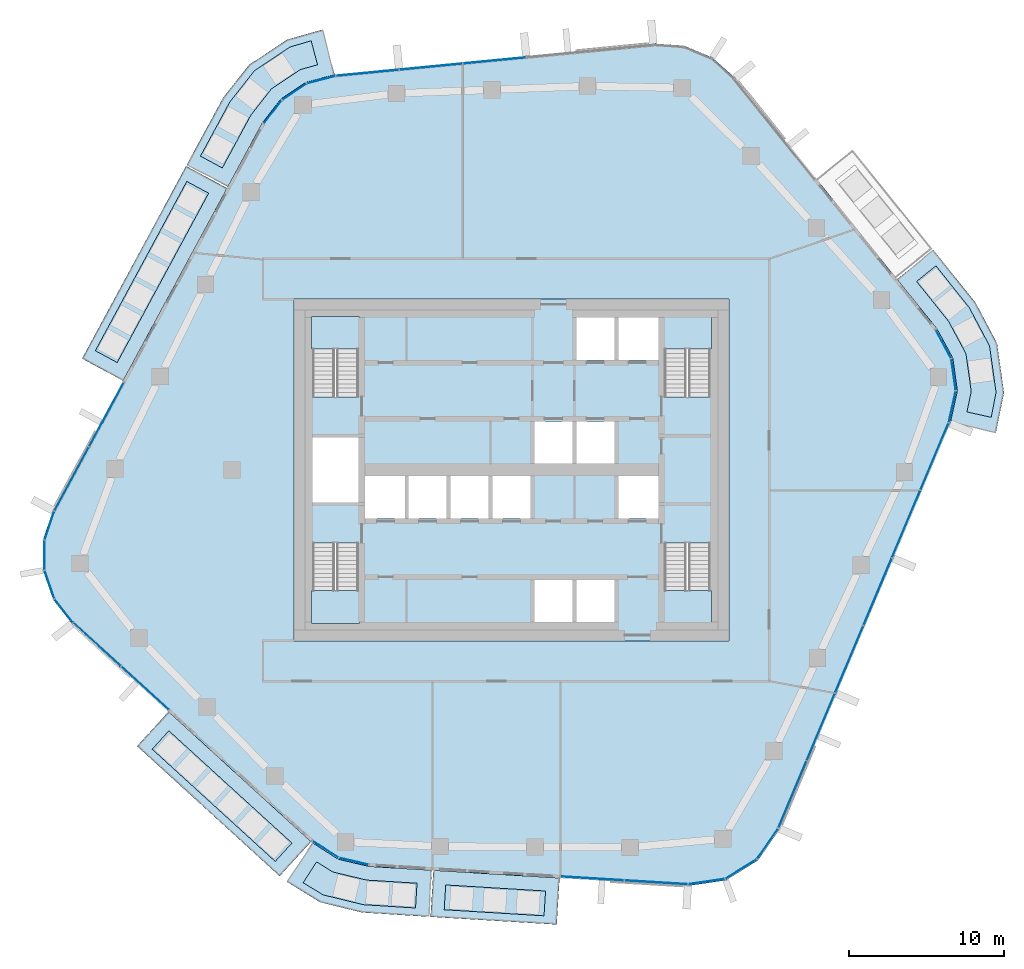
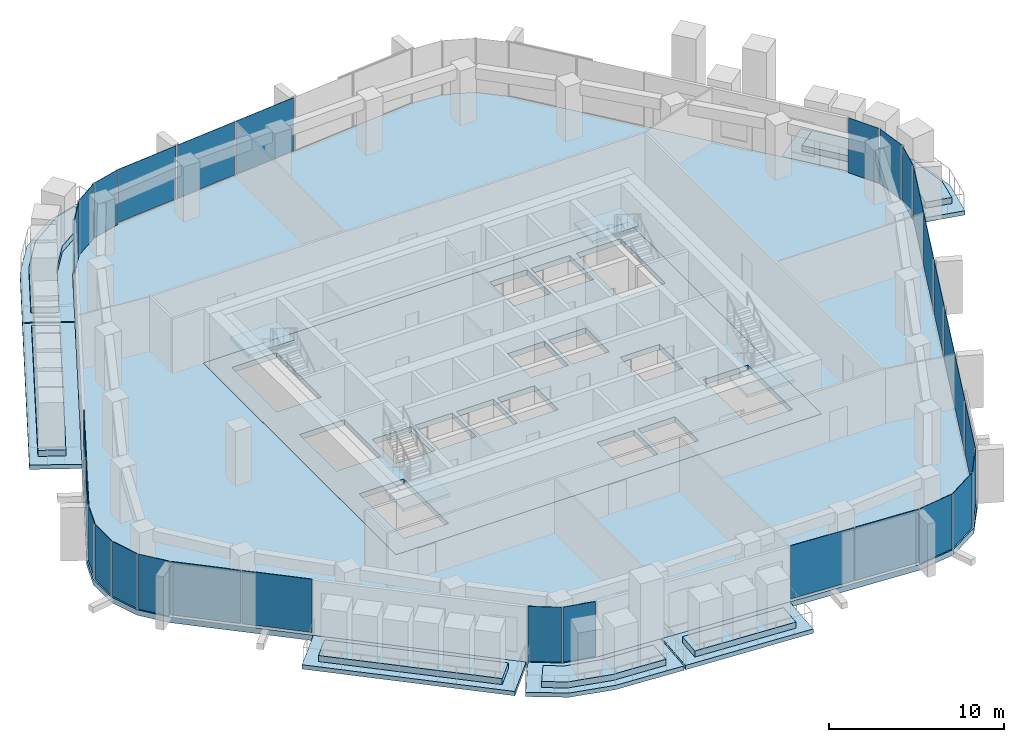
# One storey, part 10 of 20: 30 plates, 18 slabs, 14 elements without a shape of their own.
"""IFC4 building model written with IfcOpenShell, lengths in metres."""

from ifc_helpers import new_model, si_unit, direction, frame, origin, origin_2d, place, context, subcontext, project, spatial, polyline, rectangle, outline, extrude, material, layer, layer_set, type_object, element, aggregate, save


model = new_model("IFC4")

# Units and contexts
model_context = context("Model", 3, precision=1e-05, world=origin(), true_north=direction((0.0, 1.0)))
body_context = subcontext(model_context, "Body", "Model", "MODEL_VIEW")
ifc_project = project(units=[si_unit("LENGTHUNIT", "METRE"), si_unit("AREAUNIT", "SQUARE_METRE"), si_unit("VOLUMEUNIT", "CUBIC_METRE"), si_unit("PLANEANGLEUNIT", "RADIAN"), si_unit("MASSUNIT", "GRAM", prefix="KILO")], contexts=[model_context])

# Site, building, storey
site_placement = place(None, origin())
site = spatial("IfcSite", under=ifc_project, at=site_placement, CompositionType="ELEMENT")
building_placement = place(site_placement, origin())
building = spatial("IfcBuilding", under=site, at=building_placement, Name="Dongbaek Canopy Tower", CompositionType="ELEMENT")
storey_placement = place(building_placement, frame((0.0, 0.0, 262.199951171875)))
storey = spatial("IfcBuildingStorey", under=building, at=storey_placement, Name="L55", CompositionType="ELEMENT", Elevation=262.199951171875)

# Slabs
ifc_material_1 = material(Name="Concrete C40/50", Category="concrete")
ifc_layer_1 = layer(ifc_material_1, 0.300048828125)
ifc_layer_set_1 = layer_set([ifc_layer_1], Name="Balcony slab 300")
slab_type_1 = type_object("IfcSlabType", Name="Balcony slab 300", PredefinedType="FLOOR", material=ifc_layer_set_1)
slab_1_placement = place(storey_placement, frame((0.0, 0.0, -0.300048828125)))
element("IfcSlab", 1, at=slab_1_placement, inside=storey, type_object=slab_type_1, Name="Balcony L55 5", PredefinedType="FLOOR", context=body_context, shape_type="SweptSolid", body=[
    extrude(outline(polyline([(28.25634765625, 3.048583984375), (28.7099609375, 5.08837890625), (28.412109375, 7.20751953125), (27.389404296875, 9.087158203125), (24.8212890625, 12.279052734375), (27.15869140625, 14.15966796875), (29.8857421875, 10.7509765625), (31.2607421875, 8.148193359375), (31.707763671875, 4.9697265625), (31.184814453125, 2.397216796875), (28.25634765625, 3.048583984375)])), origin(), (0.0, 0.0, 1.0), 0.300048828125),
])
slab_2_placement = place(storey_placement, frame((0.0, 0.0, -0.300048828125)))
element("IfcSlab", 2, at=slab_2_placement, inside=storey, type_object=slab_type_1, Name="Balcony L55 2", PredefinedType="FLOOR", context=body_context, shape_type="SweptSolid", body=[
    extrude(outline(polyline([(-18.3154296875, 18.139892578125), (-25.010986328125, 5.742431640625), (-27.650634765625, 7.16796875), (-20.955078125, 19.5654296875), (-18.3154296875, 18.139892578125)])), origin(), (0.0, 0.0, 1.0), 0.300048828125),
])
slab_3_placement = place(storey_placement, frame((0.0, 0.0, -0.300048828125)))
element("IfcSlab", 3, at=slab_3_placement, inside=storey, type_object=slab_type_1, Name="Balcony L55 6", PredefinedType="FLOOR", context=body_context, shape_type="SweptSolid", body=[
    extrude(outline(polyline([(-11.39208984375, 25.45361328125), (-13.2275390625, 24.9658203125), (-14.851318359375, 23.887451171875), (-16.0439453125, 22.345703125), (-18.267822265625, 18.227783203125), (-20.907470703125, 19.653564453125), (-18.55859375, 23.981689453125), (-16.894775390625, 26.083984375), (-14.458740234375, 27.701416015625), (-12.16259765625, 28.35302734375), (-11.39208984375, 25.45361328125)])), origin(), (0.0, 0.0, 1.0), 0.300048828125),
])
slab_4_placement = place(storey_placement, frame((0.0, 0.0, -0.300048828125)))
element("IfcSlab", 4, at=slab_4_placement, inside=storey, type_object=slab_type_1, Name="Balcony L55 3", PredefinedType="FLOOR", context=body_context, shape_type="SweptSolid", body=[
    extrude(outline(polyline([(-22.089111328125, -15.569091796875), (-12.9111328125, -23.940185546875), (-14.9326171875, -26.15673828125), (-24.11083984375, -17.78564453125), (-22.089111328125, -15.569091796875)])), origin(), (0.0, 0.0, 1.0), 0.300048828125),
])
slab_5_placement = place(storey_placement, frame((0.0, 0.0, -0.300048828125)))
element("IfcSlab", 5, at=slab_5_placement, inside=storey, type_object=slab_type_1, Name="Balcony L55 4", PredefinedType="FLOOR", context=body_context, shape_type="SweptSolid", body=[
    extrude(outline(polyline([(-5.033203125, -25.782958984375), (3.091064453125, -26.277587890625), (2.908935546875, -29.27197265625), (-5.215576171875, -28.777587890625), (-5.033203125, -25.782958984375)])), origin(), (0.0, 0.0, 1.0), 0.300048828125),
])
slab_6_placement = place(storey_placement, frame((0.0, 0.0, -0.300048828125)))
element("IfcSlab", 6, at=slab_6_placement, inside=storey, type_object=slab_type_1, Name="Balcony L55 7", PredefinedType="FLOOR", context=body_context, shape_type="SweptSolid", body=[
    extrude(outline(polyline([(-12.83203125, -24.0009765625), (-11.16796875, -25.06689453125), (-9.1953125, -25.52978515625), (-5.133056640625, -25.777099609375), (-5.3154296875, -28.771484375), (-9.630615234375, -28.498046875), (-12.336669921875, -27.830078125), (-14.450439453125, -26.52685546875), (-12.83203125, -24.0009765625)])), origin(), (0.0, 0.0, 1.0), 0.300048828125),
])

# Curtain wall, plates
ifc_material_2 = material(Name="Aluminium 6063-T6 pale anodised", Category="aluminium")
ifc_layer_2 = layer(ifc_material_2, 0.199951171875)
ifc_layer_set_2 = layer_set([ifc_layer_2], Name="CW-1 unitised tower curtain wall")
curtain_wall_type = type_object("IfcCurtainWallType", Name="CW-1 unitised tower curtain wall", PredefinedType="NOTDEFINED", material=ifc_layer_set_2)
curtain_wall_1_placement = place(storey_placement, origin())
curtain_wall_1 = element("IfcCurtainWall", 7, at=curtain_wall_1_placement, inside=storey, type_object=curtain_wall_type, Name="CW-1 curtain wall K0.1", PredefinedType="NOTDEFINED")
ifc_material_3 = material(Name="Clear laminated glass", Category="glass")
ifc_layer_3 = layer(ifc_material_3, 0.028076171875)
ifc_layer_set_3 = layer_set([ifc_layer_3], Name="CW-1 glazed panel 28")
plate_type = type_object("IfcPlateType", Name="CW-1 glazed panel 28", PredefinedType="CURTAIN_PANEL", material=ifc_layer_set_3)
plate_1_placement = place(storey_placement, frame((28.379150390625, 4.061279296875, 0.0), z_axis=(0.0, 0.0, 1.0), x_axis=(0.21711143708, 0.976146824965, 0.0)))
plate_1 = element("IfcPlate", 8, at=plate_1_placement, type_object=plate_type, Name="CW-1 panel K0.1.1.1", PredefinedType="CURTAIN_PANEL", context=body_context, shape_type="SweptSolid", body=[
    extrude(rectangle(XDim=2.02880859375, YDim=0.028076171875, at=origin_2d()), origin(), (0.0, 0.0, 1.0), 3.820068359375),
])
plate_2_placement = place(storey_placement, frame((28.462158203125, 6.134033203125, 0.0), z_axis=(0.0, 0.0, 1.0), x_axis=(-0.139243583955, 0.990258160445, 0.0)))
plate_2 = element("IfcPlate", 9, at=plate_2_placement, type_object=plate_type, Name="CW-1 panel K0.1.2.1", PredefinedType="CURTAIN_PANEL", context=body_context, shape_type="SweptSolid", body=[
    extrude(rectangle(XDim=2.01953125, YDim=0.028076171875, at=origin_2d()), origin(), (0.0, 0.0, 1.0), 3.820068359375),
])
plate_3_placement = place(storey_placement, frame((27.810791015625, 8.103515625, 0.0), z_axis=(0.0, 0.0, 1.0), x_axis=(-0.477888487745, 0.878420510508, 0.0)))
plate_3 = element("IfcPlate", 10, at=plate_3_placement, type_object=plate_type, Name="CW-1 panel K0.1.3.1", PredefinedType="CURTAIN_PANEL", context=body_context, shape_type="SweptSolid", body=[
    extrude(rectangle(XDim=2.02880859375, YDim=0.028076171875, at=origin_2d()), origin(), (0.0, 0.0, 1.0), 3.820068359375),
])
aggregate(curtain_wall_1, [plate_1, plate_2, plate_3])

curtain_wall_2_placement = place(storey_placement, origin())
curtain_wall_2 = element("IfcCurtainWall", 11, at=curtain_wall_2_placement, inside=storey, type_object=curtain_wall_type, Name="CW-1 curtain wall F1.1", PredefinedType="NOTDEFINED")
plate_4_placement = place(storey_placement, frame((-1.093017578125, 26.35986328125, 0.1201171875), z_axis=(0.0, 0.0, 1.0), x_axis=(-0.995332430055, -0.096505718384, 0.0)))
plate_4 = element("IfcPlate", 12, at=plate_4_placement, type_object=plate_type, Name="CW-1 panel F1.1.3.1", PredefinedType="CURTAIN_PANEL", context=body_context, shape_type="SweptSolid", body=[
    extrude(rectangle(XDim=4.031494140625, YDim=0.028076171875, at=origin_2d()), origin(), (0.0, 0.0, 1.0), 3.699951171875),
])
plate_5_placement = place(storey_placement, frame((-5.189453125, 25.962646484375, 0.1201171875), z_axis=(0.0, 0.0, 1.0), x_axis=(-0.995332430055, -0.096505718384, 0.0)))
plate_5 = element("IfcPlate", 13, at=plate_5_placement, type_object=plate_type, Name="CW-1 panel F1.1.4.1", PredefinedType="CURTAIN_PANEL", context=body_context, shape_type="SweptSolid", body=[
    extrude(rectangle(XDim=4.031494140625, YDim=0.028076171875, at=origin_2d()), origin(), (0.0, 0.0, 1.0), 3.699951171875),
])
plate_6_placement = place(storey_placement, frame((-9.28173828125, 25.56591796875, 0.1201171875), z_axis=(0.0, 0.0, 1.0), x_axis=(-0.995332430055, -0.096505718384, 0.0)))
plate_6 = element("IfcPlate", 14, at=plate_6_placement, type_object=plate_type, Name="CW-1 panel F1.1.5.1", PredefinedType="CURTAIN_PANEL", context=body_context, shape_type="SweptSolid", body=[
    extrude(rectangle(XDim=4.0234375, YDim=0.028076171875, at=origin_2d()), origin(), (0.0, 0.0, 1.0), 3.699951171875),
])
aggregate(curtain_wall_2, [plate_4, plate_5, plate_6])

curtain_wall_3_placement = place(storey_placement, origin())
curtain_wall_3 = element("IfcCurtainWall", 15, at=curtain_wall_3_placement, inside=storey, type_object=curtain_wall_type, Name="CW-1 curtain wall K2.1", PredefinedType="NOTDEFINED")
plate_7_placement = place(storey_placement, frame((-12.255859375, 25.12060546875, 0.0), z_axis=(0.0, 0.0, 1.0), x_axis=(-0.966437778998, -0.25690079666, 0.0)))
plate_7 = element("IfcPlate", 16, at=plate_7_placement, type_object=plate_type, Name="CW-1 panel K2.1.1.1", PredefinedType="CURTAIN_PANEL", context=body_context, shape_type="SweptSolid", body=[
    extrude(rectangle(XDim=1.840576171875, YDim=0.028076171875, at=origin_2d()), origin(), (0.0, 0.0, 1.0), 3.820068359375),
])
plate_8_placement = place(storey_placement, frame((-13.984130859375, 24.34326171875, 0.0), z_axis=(0.0, 0.0, 1.0), x_axis=(-0.833087736407, -0.553140871251, 0.0)))
plate_8 = element("IfcPlate", 17, at=plate_8_placement, type_object=plate_type, Name="CW-1 panel K2.1.2.1", PredefinedType="CURTAIN_PANEL", context=body_context, shape_type="SweptSolid", body=[
    extrude(rectangle(XDim=1.832275390625, YDim=0.028076171875, at=origin_2d()), origin(), (0.0, 0.0, 1.0), 3.820068359375),
])
plate_9_placement = place(storey_placement, frame((-15.37109375, 23.05224609375, 0.0), z_axis=(0.0, 0.0, 1.0), x_axis=(-0.611813267825, -0.791002228387, 0.0)))
plate_9 = element("IfcPlate", 18, at=plate_9_placement, type_object=plate_type, Name="CW-1 panel K2.1.3.1", PredefinedType="CURTAIN_PANEL", context=body_context, shape_type="SweptSolid", body=[
    extrude(rectangle(XDim=1.840576171875, YDim=0.028076171875, at=origin_2d()), origin(), (0.0, 0.0, 1.0), 3.820068359375),
])
aggregate(curtain_wall_3, [plate_7, plate_8, plate_9])

curtain_wall_4_placement = place(storey_placement, origin())
curtain_wall_4 = element("IfcCurtainWall", 19, at=curtain_wall_4_placement, inside=storey, type_object=curtain_wall_type, Name="CW-1 curtain wall F2.1", PredefinedType="NOTDEFINED")
plate_10_placement = place(storey_placement, frame((-26.070556640625, 3.56982421875, 0.1201171875), z_axis=(0.0, 0.0, 1.0), x_axis=(-0.475201548938, -0.879876973154, 0.0)))
plate_10 = element("IfcPlate", 20, at=plate_10_placement, type_object=plate_type, Name="CW-1 panel F2.1.1.1", PredefinedType="CURTAIN_PANEL", context=body_context, shape_type="SweptSolid", body=[
    extrude(rectangle(XDim=4.64599609375, YDim=0.028076171875, at=origin_2d()), origin(), (0.0, 0.0, 1.0), 3.699951171875),
])
plate_11_placement = place(storey_placement, frame((-28.31640625, -0.58837890625, 0.1201171875), z_axis=(0.0, 0.0, 1.0), x_axis=(-0.475201548938, -0.879876973154, 0.0)))
plate_11 = element("IfcPlate", 21, at=plate_11_placement, type_object=plate_type, Name="CW-1 panel F2.1.2.1", PredefinedType="CURTAIN_PANEL", context=body_context, shape_type="SweptSolid", body=[
    extrude(rectangle(XDim=4.6376953125, YDim=0.028076171875, at=origin_2d()), origin(), (0.0, 0.0, 1.0), 3.699951171875),
])
aggregate(curtain_wall_4, [plate_10, plate_11])

curtain_wall_5_placement = place(storey_placement, origin())
curtain_wall_5 = element("IfcCurtainWall", 22, at=curtain_wall_5_placement, inside=storey, type_object=curtain_wall_type, Name="CW-1 curtain wall K3.1", PredefinedType="NOTDEFINED")
plate_12_placement = place(storey_placement, frame((-29.754638671875, -3.5908203125, 0.0), z_axis=(0.0, 0.0, 1.0), x_axis=(-0.323451939062, -0.946244600046, 0.0)))
plate_12 = element("IfcPlate", 23, at=plate_12_placement, type_object=plate_type, Name="CW-1 panel K3.1.1.1", PredefinedType="CURTAIN_PANEL", context=body_context, shape_type="SweptSolid", body=[
    extrude(rectangle(XDim=1.87158203125, YDim=0.028076171875, at=origin_2d()), origin(), (0.0, 0.0, 1.0), 3.820068359375),
])
plate_13_placement = place(storey_placement, frame((-30.068603515625, -5.48974609375, 0.0), z_axis=(0.0, 0.0, 1.0), x_axis=(0.002260369172, -0.999997445362, 0.0)))
plate_13 = element("IfcPlate", 24, at=plate_13_placement, type_object=plate_type, Name="CW-1 panel K3.1.2.1", PredefinedType="CURTAIN_PANEL", context=body_context, shape_type="SweptSolid", body=[
    extrude(rectangle(XDim=1.86328125, YDim=0.028076171875, at=origin_2d()), origin(), (0.0, 0.0, 1.0), 3.820068359375),
])
plate_14_placement = place(storey_placement, frame((-29.747314453125, -7.38330078125, 0.0), z_axis=(0.0, 0.0, 1.0), x_axis=(0.327726347192, -0.944772692957, 0.0)))
plate_14 = element("IfcPlate", 25, at=plate_14_placement, type_object=plate_type, Name="CW-1 panel K3.1.3.1", PredefinedType="CURTAIN_PANEL", context=body_context, shape_type="SweptSolid", body=[
    extrude(rectangle(XDim=1.86328125, YDim=0.028076171875, at=origin_2d()), origin(), (0.0, 0.0, 1.0), 3.820068359375),
])
plate_15_placement = place(storey_placement, frame((-28.824462890625, -9.072265625, 0.0), z_axis=(0.0, 0.0, 1.0), x_axis=(0.61747740393, -0.786588619061, 0.0)))
plate_15 = element("IfcPlate", 26, at=plate_15_placement, type_object=plate_type, Name="CW-1 panel K3.1.4.1", PredefinedType="CURTAIN_PANEL", context=body_context, shape_type="SweptSolid", body=[
    extrude(rectangle(XDim=1.87158203125, YDim=0.028076171875, at=origin_2d()), origin(), (0.0, 0.0, 1.0), 3.820068359375),
])
aggregate(curtain_wall_5, [plate_12, plate_13, plate_14, plate_15])

curtain_wall_6_placement = place(storey_placement, origin())
curtain_wall_6 = element("IfcCurtainWall", 27, at=curtain_wall_6_placement, inside=storey, type_object=curtain_wall_type, Name="CW-1 curtain wall F3.1", PredefinedType="NOTDEFINED")
plate_16_placement = place(storey_placement, frame((-26.681640625, -11.244873046875, 0.1201171875), z_axis=(0.0, 0.0, 1.0), x_axis=(0.738841417028, -0.673879336739, 0.0)))
plate_16 = element("IfcPlate", 28, at=plate_16_placement, type_object=plate_type, Name="CW-1 panel F3.1.1.1", PredefinedType="CURTAIN_PANEL", context=body_context, shape_type="SweptSolid", body=[
    extrude(rectangle(XDim=4.081787109375, YDim=0.028076171875, at=origin_2d()), origin(), (0.0, 0.0, 1.0), 3.699951171875),
])
plate_17_placement = place(storey_placement, frame((-23.600830078125, -14.054931640625, 0.1201171875), z_axis=(0.0, 0.0, 1.0), x_axis=(0.738841417028, -0.673879336739, 0.0)))
plate_17 = element("IfcPlate", 29, at=plate_17_placement, type_object=plate_type, Name="CW-1 panel F3.1.2.1", PredefinedType="CURTAIN_PANEL", context=body_context, shape_type="SweptSolid", body=[
    extrude(rectangle(XDim=4.090087890625, YDim=0.028076171875, at=origin_2d()), origin(), (0.0, 0.0, 1.0), 3.699951171875),
])
aggregate(curtain_wall_6, [plate_16, plate_17])

curtain_wall_7_placement = place(storey_placement, origin())
curtain_wall_7 = element("IfcCurtainWall", 30, at=curtain_wall_7_placement, inside=storey, type_object=curtain_wall_type, Name="CW-1 curtain wall K4.1", PredefinedType="NOTDEFINED")
plate_18_placement = place(storey_placement, frame((-11.970703125, -24.433837890625, 0.0), z_axis=(0.0, 0.0, 1.0), x_axis=(0.842019108393, -0.539447700061, 0.0)))
plate_18 = element("IfcPlate", 31, at=plate_18_placement, type_object=plate_type, Name="CW-1 panel K4.1.1.1", PredefinedType="CURTAIN_PANEL", context=body_context, shape_type="SweptSolid", body=[
    extrude(rectangle(XDim=1.91650390625, YDim=0.028076171875, at=origin_2d()), origin(), (0.0, 0.0, 1.0), 3.820068359375),
])
plate_19_placement = place(storey_placement, frame((-10.154541015625, -25.201904296875, 0.0), z_axis=(0.0, 0.0, 1.0), x_axis=(0.973563840907, -0.228415077607, 0.0)))
plate_19 = element("IfcPlate", 32, at=plate_19_placement, type_object=plate_type, Name="CW-1 panel K4.1.2.1", PredefinedType="CURTAIN_PANEL", context=body_context, shape_type="SweptSolid", body=[
    extrude(rectangle(XDim=1.91650390625, YDim=0.028076171875, at=origin_2d()), origin(), (0.0, 0.0, 1.0), 3.820068359375),
])
aggregate(curtain_wall_7, [plate_18, plate_19])

curtain_wall_8_placement = place(storey_placement, origin())
curtain_wall_8 = element("IfcCurtainWall", 33, at=curtain_wall_8_placement, inside=storey, type_object=curtain_wall_type, Name="CW-1 curtain wall F4.1", PredefinedType="NOTDEFINED")
plate_20_placement = place(storey_placement, frame((5.203125, -26.305908203125, 0.1201171875), z_axis=(0.0, 0.0, 1.0), x_axis=(0.998153246078, -0.060746171441, 0.0)))
plate_20 = element("IfcPlate", 34, at=plate_20_placement, type_object=plate_type, Name="CW-1 panel F4.1.1.1", PredefinedType="CURTAIN_PANEL", context=body_context, shape_type="SweptSolid", body=[
    extrude(rectangle(XDim=4.03564453125, YDim=0.028076171875, at=origin_2d()), origin(), (0.0, 0.0, 1.0), 3.699951171875),
])
plate_21_placement = place(storey_placement, frame((9.31005859375, -26.555908203125, 0.1201171875), z_axis=(0.0, 0.0, 1.0), x_axis=(0.998153246078, -0.060746171441, 0.0)))
plate_21 = element("IfcPlate", 35, at=plate_21_placement, type_object=plate_type, Name="CW-1 panel F4.1.2.1", PredefinedType="CURTAIN_PANEL", context=body_context, shape_type="SweptSolid", body=[
    extrude(rectangle(XDim=4.025390625, YDim=0.028076171875, at=origin_2d()), origin(), (0.0, 0.0, 1.0), 3.699951171875),
])
aggregate(curtain_wall_8, [plate_20, plate_21])

curtain_wall_9_placement = place(storey_placement, origin())
curtain_wall_9 = element("IfcCurtainWall", 36, at=curtain_wall_9_placement, inside=storey, type_object=curtain_wall_type, Name="CW-1 curtain wall K5.1", PredefinedType="NOTDEFINED")
plate_22_placement = place(storey_placement, frame((12.5576171875, -26.506103515625, 0.0), z_axis=(0.0, 0.0, 1.0), x_axis=(0.989536033026, 0.144285963776, 0.0)))
plate_22 = element("IfcPlate", 37, at=plate_22_placement, type_object=plate_type, Name="CW-1 panel K5.1.1.1", PredefinedType="CURTAIN_PANEL", context=body_context, shape_type="SweptSolid", body=[
    extrude(rectangle(XDim=2.33447265625, YDim=0.028076171875, at=origin_2d()), origin(), (0.0, 0.0, 1.0), 3.820068359375),
])
plate_23_placement = place(storey_placement, frame((14.77685546875, -25.6962890625, 0.0), z_axis=(0.0, 0.0, 1.0), x_axis=(0.849404089136, 0.527743018296, 0.0)))
plate_23 = element("IfcPlate", 38, at=plate_23_placement, type_object=plate_type, Name="CW-1 panel K5.1.2.1", PredefinedType="CURTAIN_PANEL", context=body_context, shape_type="SweptSolid", body=[
    extrude(rectangle(XDim=2.323974609375, YDim=0.028076171875, at=origin_2d()), origin(), (0.0, 0.0, 1.0), 3.820068359375),
])
plate_24_placement = place(storey_placement, frame((16.48583984375, -24.0654296875, 0.0), z_axis=(0.0, 0.0, 1.0), x_axis=(0.567696636257, 0.823237832697, 0.0)))
plate_24 = element("IfcPlate", 39, at=plate_24_placement, type_object=plate_type, Name="CW-1 panel K5.1.3.1", PredefinedType="CURTAIN_PANEL", context=body_context, shape_type="SweptSolid", body=[
    extrude(rectangle(XDim=2.33447265625, YDim=0.028076171875, at=origin_2d()), origin(), (0.0, 0.0, 1.0), 3.820068359375),
])
aggregate(curtain_wall_9, [plate_22, plate_23, plate_24])

curtain_wall_10_placement = place(storey_placement, origin())
curtain_wall_10 = element("IfcCurtainWall", 40, at=curtain_wall_10_placement, inside=storey, type_object=curtain_wall_type, Name="CW-1 curtain wall F5.1", PredefinedType="NOTDEFINED")
plate_25_placement = place(storey_placement, frame((18.085693359375, -20.898193359375, 0.1201171875), z_axis=(0.0, 0.0, 1.0), x_axis=(0.387695530662, 0.92178748934, 0.0)))
plate_25 = element("IfcPlate", 41, at=plate_25_placement, type_object=plate_type, Name="CW-1 panel F5.1.1.1", PredefinedType="CURTAIN_PANEL", context=body_context, shape_type="SweptSolid", body=[
    extrude(rectangle(XDim=4.6279296875, YDim=0.028076171875, at=origin_2d()), origin(), (0.0, 0.0, 1.0), 3.699951171875),
])
plate_26_placement = place(storey_placement, frame((19.91455078125, -16.550048828125, 0.1201171875), z_axis=(0.0, 0.0, 1.0), x_axis=(0.387695530662, 0.92178748934, 0.0)))
plate_26 = element("IfcPlate", 42, at=plate_26_placement, type_object=plate_type, Name="CW-1 panel F5.1.2.1", PredefinedType="CURTAIN_PANEL", context=body_context, shape_type="SweptSolid", body=[
    extrude(rectangle(XDim=4.638427734375, YDim=0.028076171875, at=origin_2d()), origin(), (0.0, 0.0, 1.0), 3.699951171875),
])
plate_27_placement = place(storey_placement, frame((21.745361328125, -12.197021484375, 0.1201171875), z_axis=(0.0, 0.0, 1.0), x_axis=(0.387695530662, 0.92178748934, 0.0)))
plate_27 = element("IfcPlate", 43, at=plate_27_placement, type_object=plate_type, Name="CW-1 panel F5.1.3.1", PredefinedType="CURTAIN_PANEL", context=body_context, shape_type="SweptSolid", body=[
    extrude(rectangle(XDim=4.638427734375, YDim=0.028076171875, at=origin_2d()), origin(), (0.0, 0.0, 1.0), 3.699951171875),
])
plate_28_placement = place(storey_placement, frame((23.576171875, -7.843994140625, 0.1201171875), z_axis=(0.0, 0.0, 1.0), x_axis=(0.387695530662, 0.92178748934, 0.0)))
plate_28 = element("IfcPlate", 44, at=plate_28_placement, type_object=plate_type, Name="CW-1 panel F5.1.4.1", PredefinedType="CURTAIN_PANEL", context=body_context, shape_type="SweptSolid", body=[
    extrude(rectangle(XDim=4.638427734375, YDim=0.028076171875, at=origin_2d()), origin(), (0.0, 0.0, 1.0), 3.699951171875),
])
plate_29_placement = place(storey_placement, frame((25.406982421875, -3.490966796875, 0.1201171875), z_axis=(0.0, 0.0, 1.0), x_axis=(0.387695530662, 0.92178748934, 0.0)))
plate_29 = element("IfcPlate", 45, at=plate_29_placement, type_object=plate_type, Name="CW-1 panel F5.1.5.1", PredefinedType="CURTAIN_PANEL", context=body_context, shape_type="SweptSolid", body=[
    extrude(rectangle(XDim=4.638427734375, YDim=0.028076171875, at=origin_2d()), origin(), (0.0, 0.0, 1.0), 3.699951171875),
])
plate_30_placement = place(storey_placement, frame((27.236083984375, 0.85791015625, 0.1201171875), z_axis=(0.0, 0.0, 1.0), x_axis=(0.387695530662, 0.92178748934, 0.0)))
plate_30 = element("IfcPlate", 46, at=plate_30_placement, type_object=plate_type, Name="CW-1 panel F5.1.6.1", PredefinedType="CURTAIN_PANEL", context=body_context, shape_type="SweptSolid", body=[
    extrude(rectangle(XDim=4.62939453125, YDim=0.028076171875, at=origin_2d()), origin(), (0.0, 0.0, 1.0), 3.699951171875),
])
aggregate(curtain_wall_10, [plate_25, plate_26, plate_27, plate_28, plate_29, plate_30])

# Slab
ifc_material_4 = material(Name="Concrete C40/50", Category="concrete")
ifc_layer_4 = layer(ifc_material_4, 0.3798828125)
ifc_layer_set_4 = layer_set([ifc_layer_4], Name="Core floor slab 380 Concrete C40/50")
slab_type_2 = type_object("IfcSlabType", Name="Core floor slab 380 Concrete C40/50", PredefinedType="FLOOR", material=ifc_layer_set_4)
slab_7_placement = place(storey_placement, frame((0.0, 0.0, -0.3798828125)))
element("IfcSlab", 47, at=slab_7_placement, inside=storey, type_object=slab_type_2, Name="Core floor slab L55", PredefinedType="FLOOR", context=body_context, shape_type="SweptSolid", body=[
    extrude(outline(polyline([(14.0, -11.0), (14.0, 11.0), (-14.0, 11.0), (-14.0, -11.0), (14.0, -11.0)]), holes=[polyline([(-12.800048828125, 2.10009765625), (-9.85009765625, 2.10009765625), (-9.85009765625, -2.10009765625), (-12.800048828125, -2.10009765625), (-12.800048828125, 2.10009765625)]), polyline([(6.625, 9.800048828125), (6.625, 7.074951171875), (4.175048828125, 7.074951171875), (4.175048828125, 9.800048828125), (6.625, 9.800048828125)]), polyline([(9.449951171875, 7.074951171875), (6.875, 7.074951171875), (6.875, 9.800048828125), (9.449951171875, 9.800048828125), (9.449951171875, 7.074951171875)]), polyline([(1.47509765625, 0.39990234375), (1.47509765625, 3.125), (3.925048828125, 3.125), (3.925048828125, 0.39990234375), (1.47509765625, 0.39990234375)]), polyline([(4.175048828125, 0.39990234375), (4.175048828125, 3.125), (6.625, 3.125), (6.625, 0.39990234375), (4.175048828125, 0.39990234375)]), polyline([(-9.449951171875, -0.39990234375), (-6.875, -0.39990234375), (-6.875, -3.125), (-9.449951171875, -3.125), (-9.449951171875, -0.39990234375)]), polyline([(-6.625, -3.125), (-6.625, -0.39990234375), (-4.175048828125, -0.39990234375), (-4.175048828125, -3.125), (-6.625, -3.125)]), polyline([(-3.925048828125, -3.125), (-3.925048828125, -0.39990234375), (-1.47509765625, -0.39990234375), (-1.47509765625, -3.125), (-3.925048828125, -3.125)]), polyline([(-1.22509765625, -3.125), (-1.22509765625, -0.39990234375), (1.22509765625, -0.39990234375), (1.22509765625, -3.125), (-1.22509765625, -3.125)]), polyline([(9.449951171875, -3.125), (6.875, -3.125), (6.875, -0.39990234375), (9.449951171875, -0.39990234375), (9.449951171875, -3.125)]), polyline([(1.47509765625, -9.800048828125), (1.47509765625, -7.074951171875), (3.925048828125, -7.074951171875), (3.925048828125, -9.800048828125), (1.47509765625, -9.800048828125)]), polyline([(4.175048828125, -9.800048828125), (4.175048828125, -7.074951171875), (6.625, -7.074951171875), (6.625, -9.800048828125), (4.175048828125, -9.800048828125)]), polyline([(12.800048828125, 4.70068359375), (12.800048828125, 9.800048828125), (9.85009765625, 9.800048828125), (9.85009765625, 4.70068359375), (12.800048828125, 4.70068359375)]), polyline([(-9.85009765625, 4.70068359375), (-9.85009765625, 9.800048828125), (-12.800048828125, 9.800048828125), (-12.800048828125, 4.70068359375), (-9.85009765625, 4.70068359375)]), polyline([(9.85009765625, -4.70068359375), (9.85009765625, -9.800048828125), (12.800048828125, -9.800048828125), (12.800048828125, -4.70068359375), (9.85009765625, -4.70068359375)]), polyline([(-12.800048828125, -4.70068359375), (-12.800048828125, -9.800048828125), (-9.85009765625, -9.800048828125), (-9.85009765625, -4.70068359375), (-12.800048828125, -4.70068359375)])]), origin(), (0.0, 0.0, 1.0), 0.3798828125),
])

# Stair, slab
ifc_material_5 = material(Name="Concrete C40/50", Category="concrete")
stair_type = type_object("IfcStairType", Name="Core exit stair", PredefinedType="HALF_TURN_STAIR", material=ifc_material_5)
stair_1_placement = place(storey_placement, origin())
stair_1 = element("IfcStair", 48, at=stair_1_placement, inside=storey, type_object=stair_type, Name="L55 exit stair A", PredefinedType="HALF_TURN_STAIR")
ifc_material_6 = material(Name="Concrete C40/50", Category="concrete")
ifc_layer_5 = layer(ifc_material_6, 0.199951171875)
ifc_layer_set_5 = layer_set([ifc_layer_5], Name="Core stair landing 200")
slab_type_3 = type_object("IfcSlabType", Name="Core stair landing 200", PredefinedType="LANDING", material=ifc_layer_set_5)
slab_8_placement = place(storey_placement, frame((0.0, 0.0, 1.900146484375)))
slab_8 = element("IfcSlab", 49, at=slab_8_placement, type_object=slab_type_3, Name="ST-A landing 1", PredefinedType="LANDING", context=body_context, shape_type="SweptSolid", body=[
    extrude(outline(polyline([(12.875, 7.780029296875), (12.875, 9.875), (9.77490234375, 9.875), (9.77490234375, 7.780029296875), (12.875, 7.780029296875)])), origin(), (0.0, 0.0, 1.0), 0.199951171875),
])
aggregate(stair_1, [slab_8])

stair_2_placement = place(storey_placement, origin())
stair_2 = element("IfcStair", 50, at=stair_2_placement, inside=storey, type_object=stair_type, Name="L55 exit stair C", PredefinedType="HALF_TURN_STAIR")
slab_9_placement = place(storey_placement, frame((0.0, 0.0, 1.900146484375)))
slab_9 = element("IfcSlab", 51, at=slab_9_placement, type_object=slab_type_3, Name="ST-C landing 1", PredefinedType="LANDING", context=body_context, shape_type="SweptSolid", body=[
    extrude(outline(polyline([(-9.77490234375, 7.780029296875), (-9.77490234375, 9.875), (-12.875, 9.875), (-12.875, 7.780029296875), (-9.77490234375, 7.780029296875)])), origin(), (0.0, 0.0, 1.0), 0.199951171875),
])
aggregate(stair_2, [slab_9])

stair_3_placement = place(storey_placement, origin())
stair_3 = element("IfcStair", 52, at=stair_3_placement, inside=storey, type_object=stair_type, Name="L55 exit stair B", PredefinedType="HALF_TURN_STAIR")
slab_10_placement = place(storey_placement, frame((0.0, 0.0, 1.900146484375)))
slab_10 = element("IfcSlab", 53, at=slab_10_placement, type_object=slab_type_3, Name="ST-B landing 1", PredefinedType="LANDING", context=body_context, shape_type="SweptSolid", body=[
    extrude(outline(polyline([(9.77490234375, -7.780029296875), (9.77490234375, -9.875), (12.875, -9.875), (12.875, -7.780029296875), (9.77490234375, -7.780029296875)])), origin(), (0.0, 0.0, 1.0), 0.199951171875),
])
aggregate(stair_3, [slab_10])

stair_4_placement = place(storey_placement, origin())
stair_4 = element("IfcStair", 54, at=stair_4_placement, inside=storey, type_object=stair_type, Name="L55 exit stair D", PredefinedType="HALF_TURN_STAIR")
slab_11_placement = place(storey_placement, frame((0.0, 0.0, 1.900146484375)))
slab_11 = element("IfcSlab", 55, at=slab_11_placement, type_object=slab_type_3, Name="ST-D landing 1", PredefinedType="LANDING", context=body_context, shape_type="SweptSolid", body=[
    extrude(outline(polyline([(-12.875, -7.780029296875), (-12.875, -9.875), (-9.77490234375, -9.875), (-9.77490234375, -7.780029296875), (-12.875, -7.780029296875)])), origin(), (0.0, 0.0, 1.0), 0.199951171875),
])
aggregate(stair_4, [slab_11])

# Slabs
ifc_material_7 = material(Name="Concrete C40", Category="concrete")
ifc_layer_6 = layer(ifc_material_7, 0.3798828125)
ifc_layer_set_6 = layer_set([ifc_layer_6], Name="RC FLAT PLATE 380 Concrete C40")
slab_type_4 = type_object("IfcSlabType", Name="RC FLAT PLATE 380 Concrete C40", PredefinedType="FLOOR", material=ifc_layer_set_6)
slab_12_placement = place(storey_placement, frame((0.0, 0.0, -0.3798828125)))
element("IfcSlab", 56, at=slab_12_placement, inside=storey, type_object=slab_type_4, Name="SLAB:L55", PredefinedType="FLOOR", context=body_context, shape_type="SweptSolid", body=[
    extrude(outline(polyline([(17.260498046875, -23.118408203125), (15.869873046875, -25.135009765625), (13.789306640625, -26.427490234375), (11.365234375, -26.781005859375), (-9.1953125, -25.52978515625), (-11.16796875, -25.06689453125), (-12.8740234375, -23.973876953125), (-28.294189453125, -9.90966796875), (-29.51708984375, -8.3515625), (-30.16650390625, -6.480224609375), (-30.1708984375, -4.49951171875), (-29.5302734375, -2.62548828125), (-16.0439453125, 22.345703125), (-14.851318359375, 23.887451171875), (-13.227294921875, 24.9658203125), (-11.343505859375, 25.466552734375), (9.13818359375, 27.452392578125), (11.1044921875, 27.31787109375), (12.921142578125, 26.553466796875), (14.39208984375, 25.24169921875), (27.389404296875, 9.087158203125), (28.412109375, 7.20751953125), (28.7099609375, 5.08837890625), (28.24560546875, 2.999755859375), (17.260498046875, -23.118408203125)]), holes=[polyline([(14.0, 11.0), (-14.0, 11.0), (-14.0, -11.0), (14.0, -11.0), (14.0, 11.0)])]), origin(), (0.0, 0.0, 1.0), 0.3798828125),
])
ifc_material_8 = material(Name="Reinforced concrete C40/50 planter box with soil", Category="concrete")
ifc_layer_7 = layer(ifc_material_8, 0.419921875)
ifc_layer_set_7 = layer_set([ifc_layer_7], Name="Terrace planter box 1600 x 420")
slab_type_5 = type_object("IfcSlabType", Name="Terrace planter box 1600 x 420", PredefinedType="USERDEFINED", material=ifc_layer_set_7)
slab_13_placement = place(storey_placement, origin())
element("IfcSlab", 57, at=slab_13_placement, inside=storey, type_object=slab_type_5, Name="Balcony planter L55 5", ObjectType="PLANTER", PredefinedType="USERDEFINED", context=body_context, shape_type="SweptSolid", body=[
    extrude(outline(polyline([(29.320556640625, 3.73388671875), (29.599365234375, 5.05322265625), (29.257080078125, 7.486572265625), (28.130126953125, 9.58056640625), (26.078857421875, 12.1357421875), (27.325439453125, 13.138671875), (29.46142578125, 10.468017578125), (30.7763671875, 7.98828125), (31.197998046875, 4.989990234375), (30.88232421875, 3.386474609375), (29.320556640625, 3.73388671875)])), origin(), (0.0, 0.0, 1.0), 0.420166015625),
])
slab_14_placement = place(storey_placement, origin())
element("IfcSlab", 58, at=slab_14_placement, inside=storey, type_object=slab_type_5, Name="Balcony planter L55 2", ObjectType="PLANTER", PredefinedType="USERDEFINED", context=body_context, shape_type="SweptSolid", body=[
    extrude(outline(polyline([(-19.50244140625, 17.81494140625), (-25.39013671875, 6.9130859375), (-26.7978515625, 7.673583984375), (-20.91015625, 18.5751953125), (-19.50244140625, 17.81494140625)])), origin(), (0.0, 0.0, 1.0), 0.420166015625),
])
slab_15_placement = place(storey_placement, origin())
element("IfcSlab", 59, at=slab_15_placement, inside=storey, type_object=slab_type_5, Name="Balcony planter L55 6", ObjectType="PLANTER", PredefinedType="USERDEFINED", context=body_context, shape_type="SweptSolid", body=[
    extrude(outline(polyline([(-12.490478515625, 26.08251953125), (-13.5927734375, 25.77734375), (-15.45751953125, 24.5390625), (-16.789794921875, 22.8310546875), (-18.623291015625, 19.442626953125), (-20.031005859375, 20.202880859375), (-18.131103515625, 23.70361328125), (-16.54736328125, 25.710693359375), (-14.24951171875, 27.236328125), (-12.9013671875, 27.62890625), (-12.490478515625, 26.08251953125)])), origin(), (0.0, 0.0, 1.0), 0.420166015625),
])
slab_16_placement = place(storey_placement, origin())
element("IfcSlab", 60, at=slab_16_placement, inside=storey, type_object=slab_type_5, Name="Balcony planter L55 3", ObjectType="PLANTER", PredefinedType="USERDEFINED", context=body_context, shape_type="SweptSolid", body=[
    extrude(outline(polyline([(-22.06103515625, -16.79931640625), (-14.138916015625, -24.02490234375), (-15.217041015625, -25.20703125), (-23.13916015625, -17.9814453125), (-22.06103515625, -16.79931640625)])), origin(), (0.0, 0.0, 1.0), 0.420166015625),
])
slab_17_placement = place(storey_placement, origin())
element("IfcSlab", 61, at=slab_17_placement, inside=storey, type_object=slab_type_5, Name="Balcony planter L55 4", ObjectType="PLANTER", PredefinedType="USERDEFINED", context=body_context, shape_type="SweptSolid", body=[
    extrude(outline(polyline([(-4.239013671875, -26.72314453125), (2.188720703125, -27.1142578125), (2.09130859375, -28.711181640625), (-4.336181640625, -28.320068359375), (-4.239013671875, -26.72314453125)])), origin(), (0.0, 0.0, 1.0), 0.420166015625),
])
slab_18_placement = place(storey_placement, origin())
element("IfcSlab", 62, at=slab_18_placement, inside=storey, type_object=slab_type_5, Name="Balcony planter L55 7", ObjectType="PLANTER", PredefinedType="USERDEFINED", context=body_context, shape_type="SweptSolid", body=[
    extrude(outline(polyline([(-12.55419921875, -25.23583984375), (-11.5146484375, -25.88671875), (-9.324462890625, -26.410400390625), (-6.08544921875, -26.610595703125), (-6.1826171875, -28.207763671875), (-9.556640625, -27.993408203125), (-12.137939453125, -27.3603515625), (-13.41748046875, -26.5830078125), (-12.55419921875, -25.23583984375)])), origin(), (0.0, 0.0, 1.0), 0.420166015625),
])

save(model, "model.ifc")
